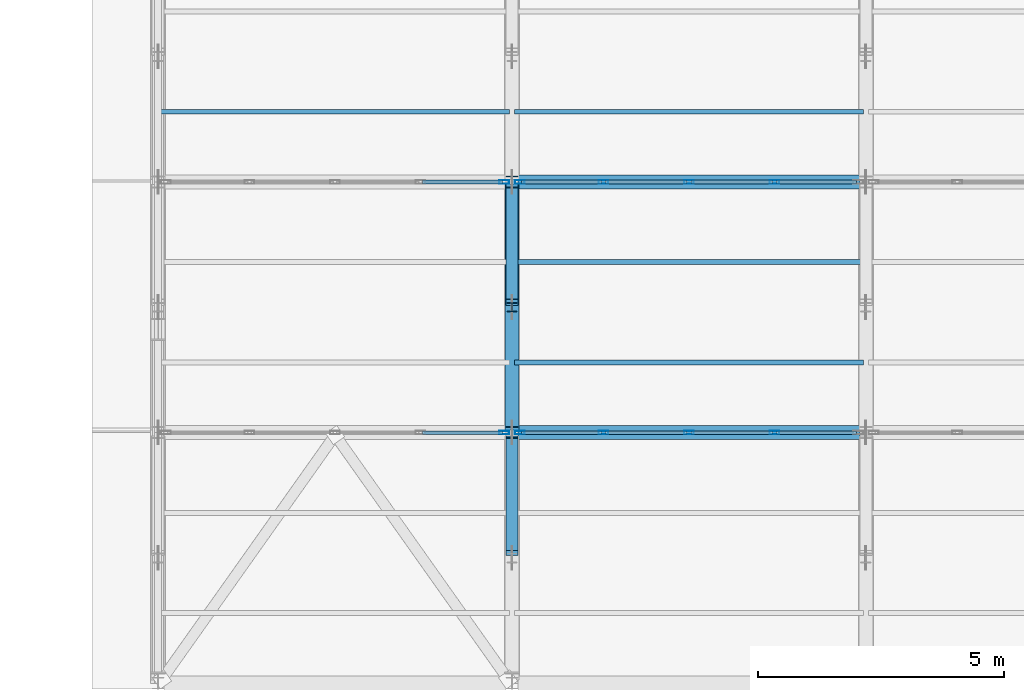
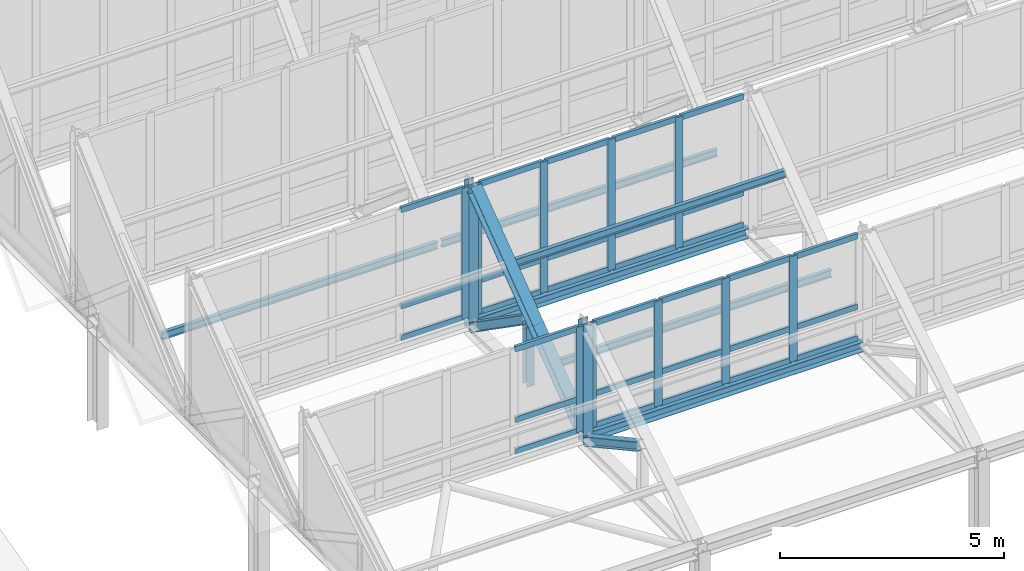
# One storey, part 24 of 157: 50 members, 2 beams, 4 elements without a shape of their own.
"""IFC4 building model written with IfcOpenShell, lengths in metres."""

from ifc_helpers import new_model, si_unit, direction, frame, origin, origin_2d, place, context, subcontext, project, spatial, hollow_rectangle, i_section, extrude, material, material_profile, profile_set, type_object, element, aggregate, save


model = new_model("IFC4")

# Units and contexts
model_context = context("Model", 3, precision=1e-05, world=origin(), true_north=direction((0.0, 1.0)))
body_context = subcontext(model_context, "Body", "Model", "MODEL_VIEW")
ifc_project = project(units=[si_unit("LENGTHUNIT", "METRE"), si_unit("AREAUNIT", "SQUARE_METRE"), si_unit("VOLUMEUNIT", "CUBIC_METRE"), si_unit("PLANEANGLEUNIT", "RADIAN"), si_unit("MASSUNIT", "GRAM", prefix="KILO")], contexts=[model_context])

# Site, building, storey
site_placement = place(None, origin())
site = spatial("IfcSite", under=ifc_project, at=site_placement, CompositionType="ELEMENT")
building_placement = place(site_placement, origin())
building = spatial("IfcBuilding", under=site, at=building_placement, Name="Suanplinth Sawtooth Commons", CompositionType="ELEMENT")
storey_placement = place(building_placement, frame((0.0, 0.0, 9.0)))
storey = spatial("IfcBuildingStorey", under=building, at=storey_placement, Name="L02", CompositionType="ELEMENT", Elevation=9.0)

# Beams
ifc_material_1 = material(Name="Steel S355JR", Category="steel")
ifc_material_profile_1 = material_profile(ifc_material_1, i_section(OverallWidth=0.280029296875, OverallDepth=0.27001953125, WebThickness=0.008056640625, FlangeThickness=0.012939453125, at=origin_2d()), Name="HEA 280")
ifc_profile_set_1 = profile_set([ifc_material_profile_1], Name="Steel S355JR")
beam_type = type_object("IfcBeamType", Name="B-16", PredefinedType="USERDEFINED", material=ifc_profile_set_1)
for number, where, z_axis, x_axis, name in (
    (1, (72.1201171875, 55.5, 2.820068359375), (1.0, 0.0, 0.0), (0.0, 1.0, 0.0), "Sawtooth Valley Girder T2-B2"),
    (2, (72.1201171875, 60.60009765625, 2.820068359375), (1.0, 0.0, 0.0), (0.0, 1.0, 0.0), "Sawtooth Valley Girder T3-B2"),
):
    element("IfcBeam", number, at=place(storey_placement, frame(where, z_axis=z_axis, x_axis=x_axis)), inside=storey, type_object=beam_type, Name=name, ObjectType="GIRDER", PredefinedType="USERDEFINED", context=body_context, shape_type="SweptSolid", body=[
        extrude(i_section(OverallWidth=0.280029296875, OverallDepth=0.27001953125, WebThickness=0.008056640625, FlangeThickness=0.012939453125, at=origin_2d()), origin(), (0.0, 0.0, 1.0), 6.9599609375),
    ])

# Members
ifc_material_profile_2 = material_profile(ifc_material_1, i_section(OverallWidth=0.280029296875, OverallDepth=0.280029296875, WebThickness=0.010498046875, FlangeThickness=0.01806640625, at=origin_2d()), Name="HEB 280")
ifc_profile_set_2 = profile_set([ifc_material_profile_2], Name="Steel S355JR")
member_type_1 = type_object("IfcMemberType", Name="M-02", PredefinedType="CHORD", material=ifc_profile_set_2)
member_1_placement = place(storey_placement, frame((72.0, 55.639892578125, 2.919921875), z_axis=(0.0, 0.799596436712, 0.600537707723), x_axis=(-1.0, 0.0, 0.0)))
element("IfcMember", 3, at=member_1_placement, inside=storey, type_object=member_type_1, Name="Sawtooth Truss T2 Top Chord 2", PredefinedType="CHORD", context=body_context, shape_type="SweptSolid", body=[
    extrude(i_section(OverallWidth=0.280029296875, OverallDepth=0.280029296875, WebThickness=0.010498046875, FlangeThickness=0.01806640625, at=origin_2d()), origin(), (0.0, 0.0, 1.0), 6.028076171875),
])
ifc_material_profile_3 = material_profile(ifc_material_1, i_section(OverallWidth=0.239990234375, OverallDepth=0.22998046875, WebThickness=0.007568359375, FlangeThickness=0.011962890625, at=origin_2d()), Name="HEA 240")
ifc_profile_set_3 = profile_set([ifc_material_profile_3], Name="Steel S355JR")
member_type_2 = type_object("IfcMemberType", Name="M-03", PredefinedType="BRACE", material=ifc_profile_set_3)
member_2_placement = place(storey_placement, frame((72.0, 53.050048828125, 4.02001953125), z_axis=(0.0, 0.878022125023, -0.478620045517), x_axis=(-1.0, 0.0, 0.0)))
element("IfcMember", 4, at=member_2_placement, inside=storey, type_object=member_type_2, Name="Sawtooth Truss T2 Web Diagonal 1", PredefinedType="BRACE", context=body_context, shape_type="SweptSolid", body=[
    extrude(i_section(OverallWidth=0.239990234375, OverallDepth=0.22998046875, WebThickness=0.007568359375, FlangeThickness=0.011962890625, at=origin_2d()), origin(), (0.0, 0.0, 1.0), 2.653564453125),
])
member_3_placement = place(storey_placement, frame((72.0, 58.14990234375, 4.3701171875), z_axis=(0.0, 0.821038438566, -0.570872912649), x_axis=(-1.0, 0.0, 0.0)))
element("IfcMember", 5, at=member_3_placement, inside=storey, type_object=member_type_2, Name="Sawtooth Truss T2 Web Diagonal 2", PredefinedType="BRACE", context=body_context, shape_type="SweptSolid", body=[
    extrude(i_section(OverallWidth=0.239990234375, OverallDepth=0.22998046875, WebThickness=0.007568359375, FlangeThickness=0.011962890625, at=origin_2d()), origin(), (0.0, 0.0, 1.0), 2.837890625),
])
ifc_material_profile_4 = material_profile(ifc_material_1, i_section(OverallWidth=0.199951171875, OverallDepth=0.18994140625, WebThickness=0.006591796875, FlangeThickness=0.010009765625, at=origin_2d()), Name="HEA 200")
ifc_profile_set_4 = profile_set([ifc_material_profile_4], Name="Steel S355JR")
member_type_3 = type_object("IfcMemberType", Name="M-04", PredefinedType="BRACE", material=ifc_profile_set_4)
member_4_placement = place(storey_placement, frame((72.0, 58.050048828125, 2.64990234375), z_axis=(0.0, 0.0, 1.0), x_axis=(1.0, 0.0, 0.0)))
element("IfcMember", 6, at=member_4_placement, inside=storey, type_object=member_type_3, Name="Sawtooth Truss T2 Mid Web Post 2", PredefinedType="BRACE", context=body_context, shape_type="SweptSolid", body=[
    extrude(i_section(OverallWidth=0.199951171875, OverallDepth=0.18994140625, WebThickness=0.006591796875, FlangeThickness=0.010009765625, at=origin_2d()), origin(), (0.0, 0.0, 1.0), 1.7001953125),
])
ifc_material_profile_5 = material_profile(ifc_material_1, i_section(OverallWidth=0.239990234375, OverallDepth=0.239990234375, WebThickness=0.010009765625, FlangeThickness=0.01708984375, at=origin_2d()), Name="HEB 240")
ifc_profile_set_5 = profile_set([ifc_material_profile_5], Name="Steel S355JR")
member_type_4 = type_object("IfcMemberType", Name="M-05", PredefinedType="POST", material=ifc_profile_set_5)
member_5_placement = place(storey_placement, frame((72.0, 55.5, 2.64990234375), z_axis=(0.0, 0.0, 1.0), x_axis=(1.0, 0.0, 0.0)))
element("IfcMember", 7, at=member_5_placement, inside=storey, type_object=member_type_4, Name="Sawtooth Truss T2 Clerestory Post 1", PredefinedType="POST", context=body_context, shape_type="SweptSolid", body=[
    extrude(i_section(OverallWidth=0.239990234375, OverallDepth=0.239990234375, WebThickness=0.010009765625, FlangeThickness=0.01708984375, at=origin_2d()), origin(), (0.0, 0.0, 1.0), 3.2900390625),
])
member_6_placement = place(storey_placement, frame((72.0, 60.60009765625, 2.64990234375), z_axis=(0.0, 0.0, 1.0), x_axis=(1.0, 0.0, 0.0)))
element("IfcMember", 8, at=member_6_placement, inside=storey, type_object=member_type_4, Name="Sawtooth Truss T2 Clerestory Post 2", PredefinedType="POST", context=body_context, shape_type="SweptSolid", body=[
    extrude(i_section(OverallWidth=0.239990234375, OverallDepth=0.239990234375, WebThickness=0.010009765625, FlangeThickness=0.01708984375, at=origin_2d()), origin(), (0.0, 0.0, 1.0), 3.989990234375),
])
ifc_material_2 = material(Name="Steel SS400", Category="steel")
ifc_material_profile_6 = material_profile(ifc_material_2, i_section(OverallWidth=0.10009765625, OverallDepth=0.199951171875, WebThickness=0.005615234375, FlangeThickness=0.008544921875, at=origin_2d()), Name="IPE 200")
ifc_profile_set_6 = profile_set([ifc_material_profile_6], Name="Steel SS400")
member_type_5 = type_object("IfcMemberType", Name="M-06", PredefinedType="PURLIN", material=ifc_profile_set_6)
for number, where, z_axis, x_axis, name in (
    (9, (72.050048828125, 56.927978515625, 3.87353515625), (1.0, 0.0, 0.0), (0.0, 1.0, 0.0), "Sawtooth Roof Purlin T2-B2-P1"),
    (10, (72.050048828125, 58.968017578125, 5.353515625), (1.0, 0.0, 0.0), (0.0, 1.0, 0.0), "Sawtooth Roof Purlin T2-B2-P2"),
    (11, (64.85009765625, 62.028076171875, 4.067138671875), (1.0, 0.0, 0.0), (0.0, 1.0, 0.0), "Sawtooth Roof Purlin T3-B1-P1"),
    (12, (72.050048828125, 62.028076171875, 4.067138671875), (1.0, 0.0, 0.0), (0.0, 1.0, 0.0), "Sawtooth Roof Purlin T3-B2-P1"),
):
    element("IfcMember", number, at=place(storey_placement, frame(where, z_axis=z_axis, x_axis=x_axis)), inside=storey, type_object=member_type_5, Name=name, PredefinedType="PURLIN", context=body_context, shape_type="SweptSolid", body=[
        extrude(i_section(OverallWidth=0.10009765625, OverallDepth=0.199951171875, WebThickness=0.005615234375, FlangeThickness=0.008544921875, at=origin_2d()), origin(), (0.0, 0.0, 1.0), 7.099853515625),
    ])

# Curtain wall, member
ifc_material_3 = material(Name="Anodized aluminium and low-E glazing", Category="aluminium")
curtain_wall_type = type_object("IfcCurtainWallType", Name="CW-03", PredefinedType="USERDEFINED", material=ifc_material_3)
curtain_wall_1_placement = place(storey_placement, origin())
curtain_wall_1 = element("IfcCurtainWall", 13, at=curtain_wall_1_placement, inside=storey, type_object=curtain_wall_type, Name="Curtain Wall CW-SAW-T1-B1", ObjectType="CURTAIN WALL", PredefinedType="USERDEFINED")
ifc_material_4 = material(Name="Anodized aluminium 6063-T6", Category="aluminium")
ifc_material_profile_7 = material_profile(ifc_material_4, hollow_rectangle(XDim=0.074951171875, YDim=0.199951171875, WallThickness=0.0048828125, at=origin_2d()), Name="ALU-MUL 75x200")
ifc_profile_set_7 = profile_set([ifc_material_profile_7], Name="Anodized aluminium 6063-T6")
member_type_6 = type_object("IfcMemberType", Name="M-14", PredefinedType="MULLION", material=ifc_profile_set_7)
member_7_placement = place(storey_placement, frame((71.842529296875, 55.5, 2.97998046875), z_axis=(0.0, 0.0, 1.0), x_axis=(0.0, 1.0, 0.0)))
member_7 = element("IfcMember", 14, at=member_7_placement, type_object=member_type_6, Name="CW-03 mullion 5", PredefinedType="MULLION", context=body_context, shape_type="SweptSolid", body=[
    extrude(hollow_rectangle(XDim=0.074951171875, YDim=0.199951171875, WallThickness=0.0048828125, at=origin_2d()), origin(), (0.0, 0.0, 1.0), 2.860107421875),
])

# Curtain wall, members
curtain_wall_2_placement = place(storey_placement, origin())
curtain_wall_2 = element("IfcCurtainWall", 15, at=curtain_wall_2_placement, inside=storey, type_object=curtain_wall_type, Name="Curtain Wall CW-SAW-T1-B2", ObjectType="CURTAIN WALL", PredefinedType="USERDEFINED")
member_8_placement = place(storey_placement, frame((72.157470703125, 55.5, 2.97998046875), z_axis=(0.0, 0.0, 1.0), x_axis=(0.0, 1.0, 0.0)))
member_8 = element("IfcMember", 16, at=member_8_placement, type_object=member_type_6, Name="CW-03 mullion 1", PredefinedType="MULLION", context=body_context, shape_type="SweptSolid", body=[
    extrude(hollow_rectangle(XDim=0.074951171875, YDim=0.199951171875, WallThickness=0.0048828125, at=origin_2d()), origin(), (0.0, 0.0, 1.0), 2.860107421875),
])
member_9_placement = place(storey_placement, frame((73.860107421875, 55.5, 2.97998046875), z_axis=(0.0, 0.0, 1.0), x_axis=(0.0, 1.0, 0.0)))
member_9 = element("IfcMember", 17, at=member_9_placement, type_object=member_type_6, Name="CW-03 mullion 2", PredefinedType="MULLION", context=body_context, shape_type="SweptSolid", body=[
    extrude(hollow_rectangle(XDim=0.074951171875, YDim=0.199951171875, WallThickness=0.0048828125, at=origin_2d()), origin(), (0.0, 0.0, 1.0), 2.860107421875),
])
member_10_placement = place(storey_placement, frame((75.60009765625, 55.5, 2.97998046875), z_axis=(0.0, 0.0, 1.0), x_axis=(0.0, 1.0, 0.0)))
member_10 = element("IfcMember", 18, at=member_10_placement, type_object=member_type_6, Name="CW-03 mullion 3", PredefinedType="MULLION", context=body_context, shape_type="SweptSolid", body=[
    extrude(hollow_rectangle(XDim=0.074951171875, YDim=0.199951171875, WallThickness=0.0048828125, at=origin_2d()), origin(), (0.0, 0.0, 1.0), 2.860107421875),
])
member_11_placement = place(storey_placement, frame((77.340087890625, 55.5, 2.97998046875), z_axis=(0.0, 0.0, 1.0), x_axis=(0.0, 1.0, 0.0)))
member_11 = element("IfcMember", 19, at=member_11_placement, type_object=member_type_6, Name="CW-03 mullion 4", PredefinedType="MULLION", context=body_context, shape_type="SweptSolid", body=[
    extrude(hollow_rectangle(XDim=0.074951171875, YDim=0.199951171875, WallThickness=0.0048828125, at=origin_2d()), origin(), (0.0, 0.0, 1.0), 2.860107421875),
])

# Curtain wall, member
curtain_wall_3_placement = place(storey_placement, origin())
curtain_wall_3 = element("IfcCurtainWall", 20, at=curtain_wall_3_placement, inside=storey, type_object=curtain_wall_type, Name="Curtain Wall CW-SAW-T2-B1", ObjectType="CURTAIN WALL", PredefinedType="USERDEFINED")
member_12_placement = place(storey_placement, frame((71.842529296875, 60.60009765625, 2.97998046875), z_axis=(0.0, 0.0, 1.0), x_axis=(0.0, 1.0, 0.0)))
member_12 = element("IfcMember", 21, at=member_12_placement, type_object=member_type_6, Name="CW-03 mullion 5", PredefinedType="MULLION", context=body_context, shape_type="SweptSolid", body=[
    extrude(hollow_rectangle(XDim=0.074951171875, YDim=0.199951171875, WallThickness=0.0048828125, at=origin_2d()), origin(), (0.0, 0.0, 1.0), 3.56005859375),
])

# Curtain wall, members
curtain_wall_4_placement = place(storey_placement, origin())
curtain_wall_4 = element("IfcCurtainWall", 22, at=curtain_wall_4_placement, inside=storey, type_object=curtain_wall_type, Name="Curtain Wall CW-SAW-T2-B2", ObjectType="CURTAIN WALL", PredefinedType="USERDEFINED")
member_13_placement = place(storey_placement, frame((72.157470703125, 60.60009765625, 2.97998046875), z_axis=(0.0, 0.0, 1.0), x_axis=(0.0, 1.0, 0.0)))
member_13 = element("IfcMember", 23, at=member_13_placement, type_object=member_type_6, Name="CW-03 mullion 1", PredefinedType="MULLION", context=body_context, shape_type="SweptSolid", body=[
    extrude(hollow_rectangle(XDim=0.074951171875, YDim=0.199951171875, WallThickness=0.0048828125, at=origin_2d()), origin(), (0.0, 0.0, 1.0), 3.56005859375),
])
member_14_placement = place(storey_placement, frame((73.860107421875, 60.60009765625, 2.97998046875), z_axis=(0.0, 0.0, 1.0), x_axis=(0.0, 1.0, 0.0)))
member_14 = element("IfcMember", 24, at=member_14_placement, type_object=member_type_6, Name="CW-03 mullion 2", PredefinedType="MULLION", context=body_context, shape_type="SweptSolid", body=[
    extrude(hollow_rectangle(XDim=0.074951171875, YDim=0.199951171875, WallThickness=0.0048828125, at=origin_2d()), origin(), (0.0, 0.0, 1.0), 3.56005859375),
])
member_15_placement = place(storey_placement, frame((75.60009765625, 60.60009765625, 2.97998046875), z_axis=(0.0, 0.0, 1.0), x_axis=(0.0, 1.0, 0.0)))
member_15 = element("IfcMember", 25, at=member_15_placement, type_object=member_type_6, Name="CW-03 mullion 3", PredefinedType="MULLION", context=body_context, shape_type="SweptSolid", body=[
    extrude(hollow_rectangle(XDim=0.074951171875, YDim=0.199951171875, WallThickness=0.0048828125, at=origin_2d()), origin(), (0.0, 0.0, 1.0), 3.56005859375),
])
member_16_placement = place(storey_placement, frame((77.340087890625, 60.60009765625, 2.97998046875), z_axis=(0.0, 0.0, 1.0), x_axis=(0.0, 1.0, 0.0)))
member_16 = element("IfcMember", 26, at=member_16_placement, type_object=member_type_6, Name="CW-03 mullion 4", PredefinedType="MULLION", context=body_context, shape_type="SweptSolid", body=[
    extrude(hollow_rectangle(XDim=0.074951171875, YDim=0.199951171875, WallThickness=0.0048828125, at=origin_2d()), origin(), (0.0, 0.0, 1.0), 3.56005859375),
])

# Member
ifc_material_profile_8 = material_profile(ifc_material_4, hollow_rectangle(XDim=0.074951171875, YDim=0.14990234375, WallThickness=0.00439453125, at=origin_2d()), Name="ALU-TRN 75x150")
ifc_profile_set_8 = profile_set([ifc_material_profile_8], Name="Anodized aluminium 6063-T6")
member_type_7 = type_object("IfcMemberType", Name="M-16", PredefinedType="USERDEFINED", material=ifc_profile_set_8)
member_17_placement = place(storey_placement, frame((70.177490234375, 55.5, 3.017578125), z_axis=(1.0, 0.0, 0.0), x_axis=(0.0, 1.0, 0.0)))
member_17 = element("IfcMember", 27, at=member_17_placement, type_object=member_type_7, Name="CW-03 transom 4.1", ObjectType="TRANSOM", PredefinedType="USERDEFINED", context=body_context, shape_type="SweptSolid", body=[
    extrude(hollow_rectangle(XDim=0.074951171875, YDim=0.14990234375, WallThickness=0.00439453125, at=origin_2d()), origin(), (0.0, 0.0, 1.0), 1.62744140625),
])

member_18_placement = place(storey_placement, frame((70.177490234375, 55.5, 3.8798828125), z_axis=(1.0, 0.0, 0.0), x_axis=(0.0, 1.0, 0.0)))
member_18 = element("IfcMember", 28, at=member_18_placement, type_object=member_type_7, Name="CW-03 transom 4.2", ObjectType="TRANSOM", PredefinedType="USERDEFINED", context=body_context, shape_type="SweptSolid", body=[
    extrude(hollow_rectangle(XDim=0.074951171875, YDim=0.14990234375, WallThickness=0.00439453125, at=origin_2d()), origin(), (0.0, 0.0, 1.0), 1.62744140625),
])

member_19_placement = place(storey_placement, frame((70.177490234375, 55.5, 5.802490234375), z_axis=(1.0, 0.0, 0.0), x_axis=(0.0, 1.0, 0.0)))
member_19 = element("IfcMember", 29, at=member_19_placement, type_object=member_type_7, Name="CW-03 transom 4.3", ObjectType="TRANSOM", PredefinedType="USERDEFINED", context=body_context, shape_type="SweptSolid", body=[
    extrude(hollow_rectangle(XDim=0.074951171875, YDim=0.14990234375, WallThickness=0.00439453125, at=origin_2d()), origin(), (0.0, 0.0, 1.0), 1.62744140625),
])

aggregate(curtain_wall_1, [member_7, member_17, member_18, member_19])

member_20_placement = place(storey_placement, frame((72.195068359375, 55.5, 3.017578125), z_axis=(1.0, 0.0, 0.0), x_axis=(0.0, 1.0, 0.0)))
member_20 = element("IfcMember", 30, at=member_20_placement, type_object=member_type_7, Name="CW-03 transom 1.1", ObjectType="TRANSOM", PredefinedType="USERDEFINED", context=body_context, shape_type="SweptSolid", body=[
    extrude(hollow_rectangle(XDim=0.074951171875, YDim=0.14990234375, WallThickness=0.00439453125, at=origin_2d()), origin(), (0.0, 0.0, 1.0), 1.62744140625),
])

member_21_placement = place(storey_placement, frame((72.195068359375, 55.5, 3.8798828125), z_axis=(1.0, 0.0, 0.0), x_axis=(0.0, 1.0, 0.0)))
member_21 = element("IfcMember", 31, at=member_21_placement, type_object=member_type_7, Name="CW-03 transom 1.2", ObjectType="TRANSOM", PredefinedType="USERDEFINED", context=body_context, shape_type="SweptSolid", body=[
    extrude(hollow_rectangle(XDim=0.074951171875, YDim=0.14990234375, WallThickness=0.00439453125, at=origin_2d()), origin(), (0.0, 0.0, 1.0), 1.62744140625),
])

member_22_placement = place(storey_placement, frame((72.195068359375, 55.5, 5.802490234375), z_axis=(1.0, 0.0, 0.0), x_axis=(0.0, 1.0, 0.0)))
member_22 = element("IfcMember", 32, at=member_22_placement, type_object=member_type_7, Name="CW-03 transom 1.3", ObjectType="TRANSOM", PredefinedType="USERDEFINED", context=body_context, shape_type="SweptSolid", body=[
    extrude(hollow_rectangle(XDim=0.074951171875, YDim=0.14990234375, WallThickness=0.00439453125, at=origin_2d()), origin(), (0.0, 0.0, 1.0), 1.62744140625),
])

member_23_placement = place(storey_placement, frame((73.8974609375, 55.5, 3.017578125), z_axis=(1.0, 0.0, 0.0), x_axis=(0.0, 1.0, 0.0)))
member_23 = element("IfcMember", 33, at=member_23_placement, type_object=member_type_7, Name="CW-03 transom 2.1", ObjectType="TRANSOM", PredefinedType="USERDEFINED", context=body_context, shape_type="SweptSolid", body=[
    extrude(hollow_rectangle(XDim=0.074951171875, YDim=0.14990234375, WallThickness=0.00439453125, at=origin_2d()), origin(), (0.0, 0.0, 1.0), 1.6650390625),
])

member_24_placement = place(storey_placement, frame((73.8974609375, 55.5, 3.8798828125), z_axis=(1.0, 0.0, 0.0), x_axis=(0.0, 1.0, 0.0)))
member_24 = element("IfcMember", 34, at=member_24_placement, type_object=member_type_7, Name="CW-03 transom 2.2", ObjectType="TRANSOM", PredefinedType="USERDEFINED", context=body_context, shape_type="SweptSolid", body=[
    extrude(hollow_rectangle(XDim=0.074951171875, YDim=0.14990234375, WallThickness=0.00439453125, at=origin_2d()), origin(), (0.0, 0.0, 1.0), 1.6650390625),
])

member_25_placement = place(storey_placement, frame((73.8974609375, 55.5, 5.802490234375), z_axis=(1.0, 0.0, 0.0), x_axis=(0.0, 1.0, 0.0)))
member_25 = element("IfcMember", 35, at=member_25_placement, type_object=member_type_7, Name="CW-03 transom 2.3", ObjectType="TRANSOM", PredefinedType="USERDEFINED", context=body_context, shape_type="SweptSolid", body=[
    extrude(hollow_rectangle(XDim=0.074951171875, YDim=0.14990234375, WallThickness=0.00439453125, at=origin_2d()), origin(), (0.0, 0.0, 1.0), 1.6650390625),
])

member_26_placement = place(storey_placement, frame((75.637451171875, 55.5, 3.017578125), z_axis=(1.0, 0.0, 0.0), x_axis=(0.0, 1.0, 0.0)))
member_26 = element("IfcMember", 36, at=member_26_placement, type_object=member_type_7, Name="CW-03 transom 3.1", ObjectType="TRANSOM", PredefinedType="USERDEFINED", context=body_context, shape_type="SweptSolid", body=[
    extrude(hollow_rectangle(XDim=0.074951171875, YDim=0.14990234375, WallThickness=0.00439453125, at=origin_2d()), origin(), (0.0, 0.0, 1.0), 1.6650390625),
])

member_27_placement = place(storey_placement, frame((75.637451171875, 55.5, 3.8798828125), z_axis=(1.0, 0.0, 0.0), x_axis=(0.0, 1.0, 0.0)))
member_27 = element("IfcMember", 37, at=member_27_placement, type_object=member_type_7, Name="CW-03 transom 3.2", ObjectType="TRANSOM", PredefinedType="USERDEFINED", context=body_context, shape_type="SweptSolid", body=[
    extrude(hollow_rectangle(XDim=0.074951171875, YDim=0.14990234375, WallThickness=0.00439453125, at=origin_2d()), origin(), (0.0, 0.0, 1.0), 1.6650390625),
])

member_28_placement = place(storey_placement, frame((75.637451171875, 55.5, 5.802490234375), z_axis=(1.0, 0.0, 0.0), x_axis=(0.0, 1.0, 0.0)))
member_28 = element("IfcMember", 38, at=member_28_placement, type_object=member_type_7, Name="CW-03 transom 3.3", ObjectType="TRANSOM", PredefinedType="USERDEFINED", context=body_context, shape_type="SweptSolid", body=[
    extrude(hollow_rectangle(XDim=0.074951171875, YDim=0.14990234375, WallThickness=0.00439453125, at=origin_2d()), origin(), (0.0, 0.0, 1.0), 1.6650390625),
])

member_29_placement = place(storey_placement, frame((77.37744140625, 55.5, 3.017578125), z_axis=(1.0, 0.0, 0.0), x_axis=(0.0, 1.0, 0.0)))
member_29 = element("IfcMember", 39, at=member_29_placement, type_object=member_type_7, Name="CW-03 transom 4.1", ObjectType="TRANSOM", PredefinedType="USERDEFINED", context=body_context, shape_type="SweptSolid", body=[
    extrude(hollow_rectangle(XDim=0.074951171875, YDim=0.14990234375, WallThickness=0.00439453125, at=origin_2d()), origin(), (0.0, 0.0, 1.0), 1.62744140625),
])

member_30_placement = place(storey_placement, frame((77.37744140625, 55.5, 3.8798828125), z_axis=(1.0, 0.0, 0.0), x_axis=(0.0, 1.0, 0.0)))
member_30 = element("IfcMember", 40, at=member_30_placement, type_object=member_type_7, Name="CW-03 transom 4.2", ObjectType="TRANSOM", PredefinedType="USERDEFINED", context=body_context, shape_type="SweptSolid", body=[
    extrude(hollow_rectangle(XDim=0.074951171875, YDim=0.14990234375, WallThickness=0.00439453125, at=origin_2d()), origin(), (0.0, 0.0, 1.0), 1.62744140625),
])

member_31_placement = place(storey_placement, frame((77.37744140625, 55.5, 5.802490234375), z_axis=(1.0, 0.0, 0.0), x_axis=(0.0, 1.0, 0.0)))
member_31 = element("IfcMember", 41, at=member_31_placement, type_object=member_type_7, Name="CW-03 transom 4.3", ObjectType="TRANSOM", PredefinedType="USERDEFINED", context=body_context, shape_type="SweptSolid", body=[
    extrude(hollow_rectangle(XDim=0.074951171875, YDim=0.14990234375, WallThickness=0.00439453125, at=origin_2d()), origin(), (0.0, 0.0, 1.0), 1.62744140625),
])

aggregate(curtain_wall_2, [member_8, member_9, member_10, member_11, member_20, member_21, member_22, member_23, member_24, member_25, member_26, member_27, member_28, member_29, member_30, member_31])

member_32_placement = place(storey_placement, frame((70.177490234375, 60.60009765625, 3.017578125), z_axis=(1.0, 0.0, 0.0), x_axis=(0.0, 1.0, 0.0)))
member_32 = element("IfcMember", 42, at=member_32_placement, type_object=member_type_7, Name="CW-03 transom 4.1", ObjectType="TRANSOM", PredefinedType="USERDEFINED", context=body_context, shape_type="SweptSolid", body=[
    extrude(hollow_rectangle(XDim=0.074951171875, YDim=0.14990234375, WallThickness=0.00439453125, at=origin_2d()), origin(), (0.0, 0.0, 1.0), 1.62744140625),
])

member_33_placement = place(storey_placement, frame((70.177490234375, 60.60009765625, 3.8798828125), z_axis=(1.0, 0.0, 0.0), x_axis=(0.0, 1.0, 0.0)))
member_33 = element("IfcMember", 43, at=member_33_placement, type_object=member_type_7, Name="CW-03 transom 4.2", ObjectType="TRANSOM", PredefinedType="USERDEFINED", context=body_context, shape_type="SweptSolid", body=[
    extrude(hollow_rectangle(XDim=0.074951171875, YDim=0.14990234375, WallThickness=0.00439453125, at=origin_2d()), origin(), (0.0, 0.0, 1.0), 1.62744140625),
])

member_34_placement = place(storey_placement, frame((70.177490234375, 60.60009765625, 6.50244140625), z_axis=(1.0, 0.0, 0.0), x_axis=(0.0, 1.0, 0.0)))
member_34 = element("IfcMember", 44, at=member_34_placement, type_object=member_type_7, Name="CW-03 transom 4.3", ObjectType="TRANSOM", PredefinedType="USERDEFINED", context=body_context, shape_type="SweptSolid", body=[
    extrude(hollow_rectangle(XDim=0.074951171875, YDim=0.14990234375, WallThickness=0.00439453125, at=origin_2d()), origin(), (0.0, 0.0, 1.0), 1.62744140625),
])

aggregate(curtain_wall_3, [member_12, member_32, member_33, member_34])

member_35_placement = place(storey_placement, frame((72.195068359375, 60.60009765625, 3.017578125), z_axis=(1.0, 0.0, 0.0), x_axis=(0.0, 1.0, 0.0)))
member_35 = element("IfcMember", 45, at=member_35_placement, type_object=member_type_7, Name="CW-03 transom 1.1", ObjectType="TRANSOM", PredefinedType="USERDEFINED", context=body_context, shape_type="SweptSolid", body=[
    extrude(hollow_rectangle(XDim=0.074951171875, YDim=0.14990234375, WallThickness=0.00439453125, at=origin_2d()), origin(), (0.0, 0.0, 1.0), 1.62744140625),
])

member_36_placement = place(storey_placement, frame((72.195068359375, 60.60009765625, 3.8798828125), z_axis=(1.0, 0.0, 0.0), x_axis=(0.0, 1.0, 0.0)))
member_36 = element("IfcMember", 46, at=member_36_placement, type_object=member_type_7, Name="CW-03 transom 1.2", ObjectType="TRANSOM", PredefinedType="USERDEFINED", context=body_context, shape_type="SweptSolid", body=[
    extrude(hollow_rectangle(XDim=0.074951171875, YDim=0.14990234375, WallThickness=0.00439453125, at=origin_2d()), origin(), (0.0, 0.0, 1.0), 1.62744140625),
])

member_37_placement = place(storey_placement, frame((72.195068359375, 60.60009765625, 6.50244140625), z_axis=(1.0, 0.0, 0.0), x_axis=(0.0, 1.0, 0.0)))
member_37 = element("IfcMember", 47, at=member_37_placement, type_object=member_type_7, Name="CW-03 transom 1.3", ObjectType="TRANSOM", PredefinedType="USERDEFINED", context=body_context, shape_type="SweptSolid", body=[
    extrude(hollow_rectangle(XDim=0.074951171875, YDim=0.14990234375, WallThickness=0.00439453125, at=origin_2d()), origin(), (0.0, 0.0, 1.0), 1.62744140625),
])

member_38_placement = place(storey_placement, frame((73.8974609375, 60.60009765625, 3.017578125), z_axis=(1.0, 0.0, 0.0), x_axis=(0.0, 1.0, 0.0)))
member_38 = element("IfcMember", 48, at=member_38_placement, type_object=member_type_7, Name="CW-03 transom 2.1", ObjectType="TRANSOM", PredefinedType="USERDEFINED", context=body_context, shape_type="SweptSolid", body=[
    extrude(hollow_rectangle(XDim=0.074951171875, YDim=0.14990234375, WallThickness=0.00439453125, at=origin_2d()), origin(), (0.0, 0.0, 1.0), 1.6650390625),
])

member_39_placement = place(storey_placement, frame((73.8974609375, 60.60009765625, 3.8798828125), z_axis=(1.0, 0.0, 0.0), x_axis=(0.0, 1.0, 0.0)))
member_39 = element("IfcMember", 49, at=member_39_placement, type_object=member_type_7, Name="CW-03 transom 2.2", ObjectType="TRANSOM", PredefinedType="USERDEFINED", context=body_context, shape_type="SweptSolid", body=[
    extrude(hollow_rectangle(XDim=0.074951171875, YDim=0.14990234375, WallThickness=0.00439453125, at=origin_2d()), origin(), (0.0, 0.0, 1.0), 1.6650390625),
])

member_40_placement = place(storey_placement, frame((73.8974609375, 60.60009765625, 6.50244140625), z_axis=(1.0, 0.0, 0.0), x_axis=(0.0, 1.0, 0.0)))
member_40 = element("IfcMember", 50, at=member_40_placement, type_object=member_type_7, Name="CW-03 transom 2.3", ObjectType="TRANSOM", PredefinedType="USERDEFINED", context=body_context, shape_type="SweptSolid", body=[
    extrude(hollow_rectangle(XDim=0.074951171875, YDim=0.14990234375, WallThickness=0.00439453125, at=origin_2d()), origin(), (0.0, 0.0, 1.0), 1.6650390625),
])

member_41_placement = place(storey_placement, frame((75.637451171875, 60.60009765625, 3.017578125), z_axis=(1.0, 0.0, 0.0), x_axis=(0.0, 1.0, 0.0)))
member_41 = element("IfcMember", 51, at=member_41_placement, type_object=member_type_7, Name="CW-03 transom 3.1", ObjectType="TRANSOM", PredefinedType="USERDEFINED", context=body_context, shape_type="SweptSolid", body=[
    extrude(hollow_rectangle(XDim=0.074951171875, YDim=0.14990234375, WallThickness=0.00439453125, at=origin_2d()), origin(), (0.0, 0.0, 1.0), 1.6650390625),
])

member_42_placement = place(storey_placement, frame((75.637451171875, 60.60009765625, 3.8798828125), z_axis=(1.0, 0.0, 0.0), x_axis=(0.0, 1.0, 0.0)))
member_42 = element("IfcMember", 52, at=member_42_placement, type_object=member_type_7, Name="CW-03 transom 3.2", ObjectType="TRANSOM", PredefinedType="USERDEFINED", context=body_context, shape_type="SweptSolid", body=[
    extrude(hollow_rectangle(XDim=0.074951171875, YDim=0.14990234375, WallThickness=0.00439453125, at=origin_2d()), origin(), (0.0, 0.0, 1.0), 1.6650390625),
])

member_43_placement = place(storey_placement, frame((75.637451171875, 60.60009765625, 6.50244140625), z_axis=(1.0, 0.0, 0.0), x_axis=(0.0, 1.0, 0.0)))
member_43 = element("IfcMember", 53, at=member_43_placement, type_object=member_type_7, Name="CW-03 transom 3.3", ObjectType="TRANSOM", PredefinedType="USERDEFINED", context=body_context, shape_type="SweptSolid", body=[
    extrude(hollow_rectangle(XDim=0.074951171875, YDim=0.14990234375, WallThickness=0.00439453125, at=origin_2d()), origin(), (0.0, 0.0, 1.0), 1.6650390625),
])

member_44_placement = place(storey_placement, frame((77.37744140625, 60.60009765625, 3.017578125), z_axis=(1.0, 0.0, 0.0), x_axis=(0.0, 1.0, 0.0)))
member_44 = element("IfcMember", 54, at=member_44_placement, type_object=member_type_7, Name="CW-03 transom 4.1", ObjectType="TRANSOM", PredefinedType="USERDEFINED", context=body_context, shape_type="SweptSolid", body=[
    extrude(hollow_rectangle(XDim=0.074951171875, YDim=0.14990234375, WallThickness=0.00439453125, at=origin_2d()), origin(), (0.0, 0.0, 1.0), 1.62744140625),
])

member_45_placement = place(storey_placement, frame((77.37744140625, 60.60009765625, 3.8798828125), z_axis=(1.0, 0.0, 0.0), x_axis=(0.0, 1.0, 0.0)))
member_45 = element("IfcMember", 55, at=member_45_placement, type_object=member_type_7, Name="CW-03 transom 4.2", ObjectType="TRANSOM", PredefinedType="USERDEFINED", context=body_context, shape_type="SweptSolid", body=[
    extrude(hollow_rectangle(XDim=0.074951171875, YDim=0.14990234375, WallThickness=0.00439453125, at=origin_2d()), origin(), (0.0, 0.0, 1.0), 1.62744140625),
])

member_46_placement = place(storey_placement, frame((77.37744140625, 60.60009765625, 6.50244140625), z_axis=(1.0, 0.0, 0.0), x_axis=(0.0, 1.0, 0.0)))
member_46 = element("IfcMember", 56, at=member_46_placement, type_object=member_type_7, Name="CW-03 transom 4.3", ObjectType="TRANSOM", PredefinedType="USERDEFINED", context=body_context, shape_type="SweptSolid", body=[
    extrude(hollow_rectangle(XDim=0.074951171875, YDim=0.14990234375, WallThickness=0.00439453125, at=origin_2d()), origin(), (0.0, 0.0, 1.0), 1.62744140625),
])

aggregate(curtain_wall_4, [member_13, member_14, member_15, member_16, member_35, member_36, member_37, member_38, member_39, member_40, member_41, member_42, member_43, member_44, member_45, member_46])

save(model, "model.ifc")
